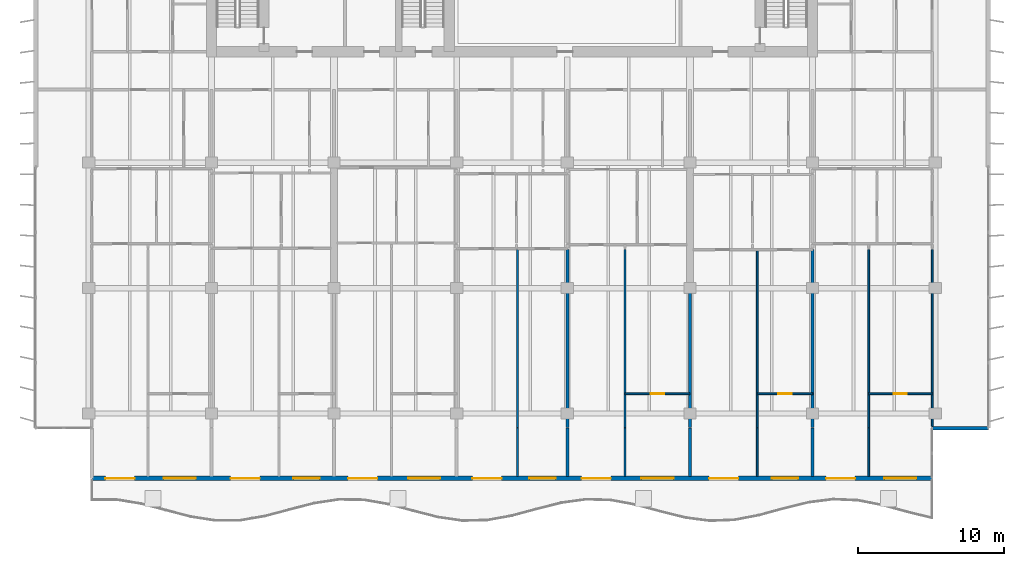
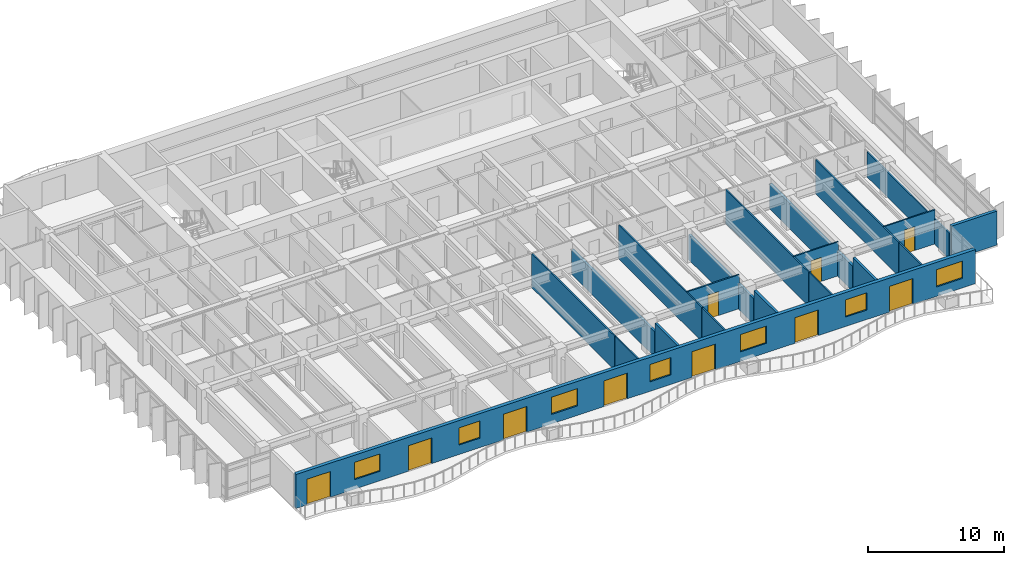
# One storey, part 10 of 19: 20 walls, 10 doors, 7 windows, 17 openings.
"""IFC4 building model written with IfcOpenShell, lengths in metres."""

from ifc_helpers import new_model, si_unit, direction, frame, frame_2d, origin, place, context, subcontext, project, spatial, rectangle, extrude, material, layer, layer_set, type_object, element, fill, save


model = new_model("IFC4")

# Units and contexts
model_context = context("Model", 3, precision=1e-05, world=origin(), true_north=direction((0.0, 1.0)))
body_context = subcontext(model_context, "Body", "Model", "MODEL_VIEW")
ifc_project = project(units=[si_unit("LENGTHUNIT", "METRE"), si_unit("AREAUNIT", "SQUARE_METRE"), si_unit("VOLUMEUNIT", "CUBIC_METRE"), si_unit("PLANEANGLEUNIT", "RADIAN"), si_unit("MASSUNIT", "GRAM", prefix="KILO")], contexts=[model_context])

# Site, building, storey
site_placement = place(None, origin())
site = spatial("IfcSite", under=ifc_project, at=site_placement, CompositionType="ELEMENT")
building_placement = place(site_placement, origin())
building = spatial("IfcBuilding", under=site, at=building_placement, Name="Caelmar Bay Residences", CompositionType="ELEMENT")
storey_placement = place(building_placement, frame((0.0, 0.0, 214.800048828125)))
storey = spatial("IfcBuildingStorey", under=building, at=storey_placement, Name="L60", CompositionType="ELEMENT", Elevation=214.800048828125)

# Wall
ifc_material_1 = material(Name="Precast concrete f'c 40 MPa (6,000 psi)", Category="concrete")
ifc_layer_1 = layer(ifc_material_1, 0.25)
ifc_layer_set_1 = layer_set([ifc_layer_1], Name="Precast concrete f'c 40 MPa (6,000 psi)")
wall_type_1 = type_object("IfcWallType", Name="W-EXT-250", PredefinedType="ELEMENTEDWALL", material=ifc_layer_set_1)
wall_1_placement = place(storey_placement, frame((67.699951171875, 11.199951171875, 0.0), z_axis=(0.0, 0.0, 1.0), x_axis=(1.0, 0.0, 0.0)))
element("IfcWall", 1, at=wall_1_placement, inside=storey, type_object=wall_type_1, Name="L60 SE Notch Return Wall", PredefinedType="ELEMENTEDWALL", context=body_context, shape_type="SweptSolid", body=[
    extrude(rectangle(XDim=3.85009765625, YDim=0.25, at=frame_2d((1.925048828125, 0.0))), origin(), (0.0, 0.0, 1.0), 3.050048828125),
])

# Wall, openings, doors, windows
ifc_layer_2 = layer(ifc_material_1, 0.300048828125)
ifc_layer_set_2 = layer_set([ifc_layer_2], Name="Precast concrete f'c 40 MPa (6,000 psi)")
wall_type_2 = type_object("IfcWallType", Name="W-EXT-300", PredefinedType="STANDARD", material=ifc_layer_set_2)
wall_2_placement = place(storey_placement, frame((67.699951171875, 7.75, 0.0), z_axis=(0.0, 0.0, 1.0), x_axis=(-1.0, 0.0, 0.0)))
wall_2 = element("IfcWall", 2, at=wall_2_placement, inside=storey, type_object=wall_type_2, Name="L60 South Bayfront Exterior Wall", PredefinedType="STANDARD", context=body_context, shape_type="SweptSolid", body=[
    extrude(rectangle(XDim=57.599853515625, YDim=0.300048828125, at=frame_2d((28.7998046875, 0.0))), origin(), (0.0, 0.0, 1.0), 3.050048828125),
])
opening_1_placement = place(wall_2_placement, frame((54.673095703125, 0.0, 0.0)))
opening_1 = element("IfcOpeningElement", 3, at=opening_1_placement, cuts=wall_2, Name="Opening L60-BD01", PredefinedType="OPENING", context=body_context, shape_type="SweptSolid", body=[
    extrude(rectangle(XDim=2.0, YDim=2.300048828125, at=frame_2d((1.0, 1.14990234375))), frame((0.0, 0.159912109375, 0.0), z_axis=(0.0, -1.0, 0.0), x_axis=(1.0, 0.0, 0.0)), (0.0, 0.0, 1.0), 0.320068359375),
])
opening_2_placement = place(wall_2_placement, frame((50.472900390625, 0.0, 0.85009765625)))
opening_2 = element("IfcOpeningElement", 4, at=opening_2_placement, cuts=wall_2, Name="Opening WN2", PredefinedType="OPENING", context=body_context, shape_type="SweptSolid", body=[
    extrude(rectangle(XDim=2.199951171875, YDim=1.550048828125, at=frame_2d((1.10009765625, 0.77490234375))), frame((0.0, 0.159912109375, 0.0), z_axis=(0.0, -1.0, 0.0), x_axis=(1.0, 0.0, 0.0)), (0.0, 0.0, 1.0), 0.320068359375),
])
opening_3_placement = place(wall_2_placement, frame((46.090087890625, 0.0, 0.0)))
opening_3 = element("IfcOpeningElement", 5, at=opening_3_placement, cuts=wall_2, Name="Opening L60-BD02", PredefinedType="OPENING", context=body_context, shape_type="SweptSolid", body=[
    extrude(rectangle(XDim=2.0, YDim=2.300048828125, at=frame_2d((1.0, 1.14990234375))), frame((0.0, 0.159912109375, 0.0), z_axis=(0.0, -1.0, 0.0), x_axis=(1.0, 0.0, 0.0)), (0.0, 0.0, 1.0), 0.320068359375),
])
opening_4_placement = place(wall_2_placement, frame((41.989990234375, 0.0, 0.85009765625)))
opening_4 = element("IfcOpeningElement", 6, at=opening_4_placement, cuts=wall_2, Name="Opening WN1", PredefinedType="OPENING", context=body_context, shape_type="SweptSolid", body=[
    extrude(rectangle(XDim=1.800048828125, YDim=1.550048828125, at=frame_2d((0.89990234375, 0.77490234375))), frame((0.0, 0.159912109375, 0.0), z_axis=(0.0, -1.0, 0.0), x_axis=(1.0, 0.0, 0.0)), (0.0, 0.0, 1.0), 0.320068359375),
])
opening_5_placement = place(wall_2_placement, frame((38.02587890625, 0.0, 0.0)))
opening_5 = element("IfcOpeningElement", 7, at=opening_5_placement, cuts=wall_2, Name="Opening L60-BD03", PredefinedType="OPENING", context=body_context, shape_type="SweptSolid", body=[
    extrude(rectangle(XDim=2.0, YDim=2.300048828125, at=frame_2d((1.0, 1.14990234375))), frame((0.0, 0.159912109375, 0.0), z_axis=(0.0, -1.0, 0.0), x_axis=(1.0, 0.0, 0.0)), (0.0, 0.0, 1.0), 0.320068359375),
])
opening_6_placement = place(wall_2_placement, frame((33.72607421875, 0.0, 0.85009765625)))
opening_6 = element("IfcOpeningElement", 8, at=opening_6_placement, cuts=wall_2, Name="Opening WN2", PredefinedType="OPENING", context=body_context, shape_type="SweptSolid", body=[
    extrude(rectangle(XDim=2.199951171875, YDim=1.550048828125, at=frame_2d((1.10009765625, 0.77490234375))), frame((0.0, 0.159912109375, 0.0), z_axis=(0.0, -1.0, 0.0), x_axis=(1.0, 0.0, 0.0)), (0.0, 0.0, 1.0), 0.320068359375),
])
opening_7_placement = place(wall_2_placement, frame((29.510009765625, 0.0, 0.0)))
opening_7 = element("IfcOpeningElement", 9, at=opening_7_placement, cuts=wall_2, Name="Opening L60-BD04", PredefinedType="OPENING", context=body_context, shape_type="SweptSolid", body=[
    extrude(rectangle(XDim=2.0, YDim=2.300048828125, at=frame_2d((1.0, 1.14990234375))), frame((0.0, 0.159912109375, 0.0), z_axis=(0.0, -1.0, 0.0), x_axis=(1.0, 0.0, 0.0)), (0.0, 0.0, 1.0), 0.320068359375),
])
opening_8_placement = place(wall_2_placement, frame((25.81005859375, 0.0, 0.85009765625)))
opening_8 = element("IfcOpeningElement", 10, at=opening_8_placement, cuts=wall_2, Name="Opening WN1", PredefinedType="OPENING", context=body_context, shape_type="SweptSolid", body=[
    extrude(rectangle(XDim=1.800048828125, YDim=1.550048828125, at=frame_2d((0.89990234375, 0.77490234375))), frame((0.0, 0.159912109375, 0.0), z_axis=(0.0, -1.0, 0.0), x_axis=(1.0, 0.0, 0.0)), (0.0, 0.0, 1.0), 0.320068359375),
])
opening_9_placement = place(wall_2_placement, frame((22.02587890625, 0.0, 0.0)))
opening_9 = element("IfcOpeningElement", 11, at=opening_9_placement, cuts=wall_2, Name="Opening L60-BD05", PredefinedType="OPENING", context=body_context, shape_type="SweptSolid", body=[
    extrude(rectangle(XDim=2.0, YDim=2.300048828125, at=frame_2d((1.0, 1.14990234375))), frame((0.0, 0.159912109375, 0.0), z_axis=(0.0, -1.0, 0.0), x_axis=(1.0, 0.0, 0.0)), (0.0, 0.0, 1.0), 0.320068359375),
])
opening_10_placement = place(wall_2_placement, frame((17.72607421875, 0.0, 0.85009765625)))
opening_10 = element("IfcOpeningElement", 12, at=opening_10_placement, cuts=wall_2, Name="Opening WN2", PredefinedType="OPENING", context=body_context, shape_type="SweptSolid", body=[
    extrude(rectangle(XDim=2.199951171875, YDim=1.550048828125, at=frame_2d((1.10009765625, 0.77490234375))), frame((0.0, 0.159912109375, 0.0), z_axis=(0.0, -1.0, 0.0), x_axis=(1.0, 0.0, 0.0)), (0.0, 0.0, 1.0), 0.320068359375),
])
opening_11_placement = place(wall_2_placement, frame((13.2900390625, 0.0, 0.0)))
opening_11 = element("IfcOpeningElement", 13, at=opening_11_placement, cuts=wall_2, Name="Opening L60-BD06", PredefinedType="OPENING", context=body_context, shape_type="SweptSolid", body=[
    extrude(rectangle(XDim=2.0, YDim=2.300048828125, at=frame_2d((1.0, 1.14990234375))), frame((0.0, 0.159912109375, 0.0), z_axis=(0.0, -1.0, 0.0), x_axis=(1.0, 0.0, 0.0)), (0.0, 0.0, 1.0), 0.320068359375),
])
opening_12_placement = place(wall_2_placement, frame((9.18994140625, 0.0, 0.85009765625)))
opening_12 = element("IfcOpeningElement", 14, at=opening_12_placement, cuts=wall_2, Name="Opening WN1", PredefinedType="OPENING", context=body_context, shape_type="SweptSolid", body=[
    extrude(rectangle(XDim=1.800048828125, YDim=1.550048828125, at=frame_2d((0.89990234375, 0.77490234375))), frame((0.0, 0.159912109375, 0.0), z_axis=(0.0, -1.0, 0.0), x_axis=(1.0, 0.0, 0.0)), (0.0, 0.0, 1.0), 0.320068359375),
])
opening_13_placement = place(wall_2_placement, frame((5.27294921875, 0.0, 0.0)))
opening_13 = element("IfcOpeningElement", 15, at=opening_13_placement, cuts=wall_2, Name="Opening L60-BD07", PredefinedType="OPENING", context=body_context, shape_type="SweptSolid", body=[
    extrude(rectangle(XDim=2.0, YDim=2.300048828125, at=frame_2d((1.0, 1.14990234375))), frame((0.0, 0.159912109375, 0.0), z_axis=(0.0, -1.0, 0.0), x_axis=(1.0, 0.0, 0.0)), (0.0, 0.0, 1.0), 0.320068359375),
])
opening_14_placement = place(wall_2_placement, frame((1.072998046875, 0.0, 0.85009765625)))
opening_14 = element("IfcOpeningElement", 16, at=opening_14_placement, cuts=wall_2, Name="Opening WN2", PredefinedType="OPENING", context=body_context, shape_type="SweptSolid", body=[
    extrude(rectangle(XDim=2.199951171875, YDim=1.550048828125, at=frame_2d((1.10009765625, 0.77490234375))), frame((0.0, 0.159912109375, 0.0), z_axis=(0.0, -1.0, 0.0), x_axis=(1.0, 0.0, 0.0)), (0.0, 0.0, 1.0), 0.320068359375),
])
ifc_material_2 = material(Name="Anodised bronze thermally broken sliding glass door", Category="glass")
ifc_layer_3 = layer(ifc_material_2, 0.050048828125)
ifc_layer_set_3 = layer_set([ifc_layer_3], Name="Anodised bronze thermally broken sliding glass door")
door_type_1 = type_object("IfcDoorType", Name="D-BAL-2000", OperationType="DOUBLE_DOOR_SLIDING", PredefinedType="DOOR", material=ifc_layer_set_3)
door_1_placement = place(opening_1_placement, origin())
door_1 = element("IfcDoor", 17, at=door_1_placement, inside=storey, type_object=door_type_1, Name="L60 Residence 01 Living Room Balcony Door", OperationType="DOUBLE_DOOR_SLIDING", OverallHeight=2.300048828125, OverallWidth=2.0, PredefinedType="DOOR", context=body_context, shape_type="SweptSolid", body=[
    extrude(rectangle(XDim=2.0, YDim=2.300048828125, at=frame_2d((1.0, 1.14990234375))), frame((0.0, 0.02490234375, 0.0), z_axis=(0.0, -1.0, 0.0), x_axis=(1.0, 0.0, 0.0)), (0.0, 0.0, 1.0), 0.050048828125),
])
fill(opening_1, door_1)
door_2_placement = place(opening_3_placement, origin())
door_2 = element("IfcDoor", 18, at=door_2_placement, inside=storey, type_object=door_type_1, Name="L60 Residence 02 Living Room Balcony Door", OperationType="DOUBLE_DOOR_SLIDING", OverallHeight=2.300048828125, OverallWidth=2.0, PredefinedType="DOOR", context=body_context, shape_type="SweptSolid", body=[
    extrude(rectangle(XDim=2.0, YDim=2.300048828125, at=frame_2d((1.0, 1.14990234375))), frame((0.0, 0.02490234375, 0.0), z_axis=(0.0, -1.0, 0.0), x_axis=(1.0, 0.0, 0.0)), (0.0, 0.0, 1.0), 0.050048828125),
])
fill(opening_3, door_2)
door_3_placement = place(opening_5_placement, origin())
door_3 = element("IfcDoor", 19, at=door_3_placement, inside=storey, type_object=door_type_1, Name="L60 Residence 03 Living Room Balcony Door", OperationType="DOUBLE_DOOR_SLIDING", OverallHeight=2.300048828125, OverallWidth=2.0, PredefinedType="DOOR", context=body_context, shape_type="SweptSolid", body=[
    extrude(rectangle(XDim=2.0, YDim=2.300048828125, at=frame_2d((1.0, 1.14990234375))), frame((0.0, 0.02490234375, 0.0), z_axis=(0.0, -1.0, 0.0), x_axis=(1.0, 0.0, 0.0)), (0.0, 0.0, 1.0), 0.050048828125),
])
fill(opening_5, door_3)
door_4_placement = place(opening_7_placement, origin())
door_4 = element("IfcDoor", 20, at=door_4_placement, inside=storey, type_object=door_type_1, Name="L60 Residence 04 Living Room Balcony Door", OperationType="DOUBLE_DOOR_SLIDING", OverallHeight=2.300048828125, OverallWidth=2.0, PredefinedType="DOOR", context=body_context, shape_type="SweptSolid", body=[
    extrude(rectangle(XDim=2.0, YDim=2.300048828125, at=frame_2d((1.0, 1.14990234375))), frame((0.0, 0.02490234375, 0.0), z_axis=(0.0, -1.0, 0.0), x_axis=(1.0, 0.0, 0.0)), (0.0, 0.0, 1.0), 0.050048828125),
])
fill(opening_7, door_4)
door_5_placement = place(opening_9_placement, origin())
door_5 = element("IfcDoor", 21, at=door_5_placement, inside=storey, type_object=door_type_1, Name="L60 Residence 05 Living Room Balcony Door", OperationType="DOUBLE_DOOR_SLIDING", OverallHeight=2.300048828125, OverallWidth=2.0, PredefinedType="DOOR", context=body_context, shape_type="SweptSolid", body=[
    extrude(rectangle(XDim=2.0, YDim=2.300048828125, at=frame_2d((1.0, 1.14990234375))), frame((0.0, 0.02490234375, 0.0), z_axis=(0.0, -1.0, 0.0), x_axis=(1.0, 0.0, 0.0)), (0.0, 0.0, 1.0), 0.050048828125),
])
fill(opening_9, door_5)
door_6_placement = place(opening_11_placement, origin())
door_6 = element("IfcDoor", 22, at=door_6_placement, inside=storey, type_object=door_type_1, Name="L60 Residence 06 Living Room Balcony Door", OperationType="DOUBLE_DOOR_SLIDING", OverallHeight=2.300048828125, OverallWidth=2.0, PredefinedType="DOOR", context=body_context, shape_type="SweptSolid", body=[
    extrude(rectangle(XDim=2.0, YDim=2.300048828125, at=frame_2d((1.0, 1.14990234375))), frame((0.0, 0.02490234375, 0.0), z_axis=(0.0, -1.0, 0.0), x_axis=(1.0, 0.0, 0.0)), (0.0, 0.0, 1.0), 0.050048828125),
])
fill(opening_11, door_6)
door_7_placement = place(opening_13_placement, origin())
door_7 = element("IfcDoor", 23, at=door_7_placement, inside=storey, type_object=door_type_1, Name="L60 Residence 07 Living Room Balcony Door", OperationType="DOUBLE_DOOR_SLIDING", OverallHeight=2.300048828125, OverallWidth=2.0, PredefinedType="DOOR", context=body_context, shape_type="SweptSolid", body=[
    extrude(rectangle(XDim=2.0, YDim=2.300048828125, at=frame_2d((1.0, 1.14990234375))), frame((0.0, 0.02490234375, 0.0), z_axis=(0.0, -1.0, 0.0), x_axis=(1.0, 0.0, 0.0)), (0.0, 0.0, 1.0), 0.050048828125),
])
fill(opening_13, door_7)
ifc_material_3 = material(Name="Bronze aluminium frame with laminated low-E glass", Category="aluminium")
ifc_layer_4 = layer(ifc_material_3, 0.06005859375)
ifc_layer_set_4 = layer_set([ifc_layer_4], Name="Bronze aluminium frame with laminated low-E glass")
window_type_1 = type_object("IfcWindowType", Name="WIN-BR-1800", PartitioningType="SINGLE_PANEL", PredefinedType="WINDOW", material=ifc_layer_set_4)
window_1_placement = place(opening_4_placement, origin())
window_1 = element("IfcWindow", 24, at=window_1_placement, inside=storey, type_object=window_type_1, Name="L60 Residence 02 Primary Bedroom Window", OverallHeight=1.550048828125, OverallWidth=1.800048828125, PartitioningType="SINGLE_PANEL", PredefinedType="WINDOW", context=body_context, shape_type="SweptSolid", body=[
    extrude(rectangle(XDim=1.800048828125, YDim=1.550048828125, at=frame_2d((0.89990234375, 0.77490234375))), frame((0.0, 0.030029296875, 0.0), z_axis=(0.0, -1.0, 0.0), x_axis=(1.0, 0.0, 0.0)), (0.0, 0.0, 1.0), 0.06005859375),
])
fill(opening_4, window_1)
window_2_placement = place(opening_8_placement, origin())
window_2 = element("IfcWindow", 25, at=window_2_placement, inside=storey, type_object=window_type_1, Name="L60 Residence 04 Primary Bedroom Window", OverallHeight=1.550048828125, OverallWidth=1.800048828125, PartitioningType="SINGLE_PANEL", PredefinedType="WINDOW", context=body_context, shape_type="SweptSolid", body=[
    extrude(rectangle(XDim=1.800048828125, YDim=1.550048828125, at=frame_2d((0.89990234375, 0.77490234375))), frame((0.0, 0.030029296875, 0.0), z_axis=(0.0, -1.0, 0.0), x_axis=(1.0, 0.0, 0.0)), (0.0, 0.0, 1.0), 0.06005859375),
])
fill(opening_8, window_2)
window_3_placement = place(opening_12_placement, origin())
window_3 = element("IfcWindow", 26, at=window_3_placement, inside=storey, type_object=window_type_1, Name="L60 Residence 06 Primary Bedroom Window", OverallHeight=1.550048828125, OverallWidth=1.800048828125, PartitioningType="SINGLE_PANEL", PredefinedType="WINDOW", context=body_context, shape_type="SweptSolid", body=[
    extrude(rectangle(XDim=1.800048828125, YDim=1.550048828125, at=frame_2d((0.89990234375, 0.77490234375))), frame((0.0, 0.030029296875, 0.0), z_axis=(0.0, -1.0, 0.0), x_axis=(1.0, 0.0, 0.0)), (0.0, 0.0, 1.0), 0.06005859375),
])
fill(opening_12, window_3)
ifc_layer_5 = layer(ifc_material_3, 0.06005859375)
ifc_layer_set_5 = layer_set([ifc_layer_5], Name="Bronze aluminium frame with laminated low-E glass")
window_type_2 = type_object("IfcWindowType", Name="WIN-BR-2200", PartitioningType="SINGLE_PANEL", PredefinedType="WINDOW", material=ifc_layer_set_5)
window_4_placement = place(opening_2_placement, origin())
window_4 = element("IfcWindow", 27, at=window_4_placement, inside=storey, type_object=window_type_2, Name="L60 Residence 01 Primary Bedroom Window", OverallHeight=1.550048828125, OverallWidth=2.199951171875, PartitioningType="SINGLE_PANEL", PredefinedType="WINDOW", context=body_context, shape_type="SweptSolid", body=[
    extrude(rectangle(XDim=2.199951171875, YDim=1.550048828125, at=frame_2d((1.10009765625, 0.77490234375))), frame((0.0, 0.030029296875, 0.0), z_axis=(0.0, -1.0, 0.0), x_axis=(1.0, 0.0, 0.0)), (0.0, 0.0, 1.0), 0.06005859375),
])
fill(opening_2, window_4)
window_5_placement = place(opening_6_placement, origin())
window_5 = element("IfcWindow", 28, at=window_5_placement, inside=storey, type_object=window_type_2, Name="L60 Residence 03 Primary Bedroom Window", OverallHeight=1.550048828125, OverallWidth=2.199951171875, PartitioningType="SINGLE_PANEL", PredefinedType="WINDOW", context=body_context, shape_type="SweptSolid", body=[
    extrude(rectangle(XDim=2.199951171875, YDim=1.550048828125, at=frame_2d((1.10009765625, 0.77490234375))), frame((0.0, 0.030029296875, 0.0), z_axis=(0.0, -1.0, 0.0), x_axis=(1.0, 0.0, 0.0)), (0.0, 0.0, 1.0), 0.06005859375),
])
fill(opening_6, window_5)
window_6_placement = place(opening_10_placement, origin())
window_6 = element("IfcWindow", 29, at=window_6_placement, inside=storey, type_object=window_type_2, Name="L60 Residence 05 Primary Bedroom Window", OverallHeight=1.550048828125, OverallWidth=2.199951171875, PartitioningType="SINGLE_PANEL", PredefinedType="WINDOW", context=body_context, shape_type="SweptSolid", body=[
    extrude(rectangle(XDim=2.199951171875, YDim=1.550048828125, at=frame_2d((1.10009765625, 0.77490234375))), frame((0.0, 0.030029296875, 0.0), z_axis=(0.0, -1.0, 0.0), x_axis=(1.0, 0.0, 0.0)), (0.0, 0.0, 1.0), 0.06005859375),
])
fill(opening_10, window_6)
window_7_placement = place(opening_14_placement, origin())
window_7 = element("IfcWindow", 30, at=window_7_placement, inside=storey, type_object=window_type_2, Name="L60 Residence 07 Primary Bedroom Window", OverallHeight=1.550048828125, OverallWidth=2.199951171875, PartitioningType="SINGLE_PANEL", PredefinedType="WINDOW", context=body_context, shape_type="SweptSolid", body=[
    extrude(rectangle(XDim=2.199951171875, YDim=1.550048828125, at=frame_2d((1.10009765625, 0.77490234375))), frame((0.0, 0.030029296875, 0.0), z_axis=(0.0, -1.0, 0.0), x_axis=(1.0, 0.0, 0.0)), (0.0, 0.0, 1.0), 0.06005859375),
])
fill(opening_14, window_7)

# Walls
ifc_material_4 = material(Name="Acoustic metal-stud gypsum partition 120 mm")
ifc_layer_6 = layer(ifc_material_4, 0.1201171875)
ifc_layer_set_6 = layer_set([ifc_layer_6], Name="Acoustic metal-stud gypsum partition 120 mm")
wall_type_3 = type_object("IfcWallType", Name="W-PRT-120", PredefinedType="PARTITIONING", material=ifc_layer_set_6)
wall_3_placement = place(storey_placement, frame((39.280029296875, 7.89501953125, 0.0), z_axis=(0.0, 0.0, 1.0), x_axis=(0.0, 1.0, 0.0)))
element("IfcWall", 31, at=wall_3_placement, inside=storey, type_object=wall_type_3, Name="L60 Partition Wall V051", PredefinedType="PARTITIONING", context=body_context, shape_type="SweptSolid", body=[
    extrude(rectangle(XDim=3.304931640625, YDim=0.1201171875, at=frame_2d((1.65234375, 0.0))), origin(), (0.0, 0.0, 1.0), 3.050048828125),
])
wall_4_placement = place(storey_placement, frame((39.280029296875, 11.239990234375, 0.0), z_axis=(0.0, 0.0, 1.0), x_axis=(0.0, 1.0, 0.0)))
element("IfcWall", 32, at=wall_4_placement, inside=storey, type_object=wall_type_3, Name="L60 Partition Wall V052", PredefinedType="PARTITIONING", context=body_context, shape_type="SweptSolid", body=[
    extrude(rectangle(XDim=12.18994140625, YDim=0.1201171875, at=frame_2d((6.094970703125, 0.0))), origin(), (0.0, 0.0, 1.0), 3.050048828125),
])
wall_5_placement = place(storey_placement, frame((46.64794921875, 7.89501953125, 0.0), z_axis=(0.0, 0.0, 1.0), x_axis=(0.0, 1.0, 0.0)))
element("IfcWall", 33, at=wall_5_placement, inside=storey, type_object=wall_type_3, Name="L60 Partition Wall V062", PredefinedType="PARTITIONING", context=body_context, shape_type="SweptSolid", body=[
    extrude(rectangle(XDim=3.304931640625, YDim=0.1201171875, at=frame_2d((1.65234375, 0.0))), origin(), (0.0, 0.0, 1.0), 3.050048828125),
])
wall_6_placement = place(storey_placement, frame((46.64794921875, 11.239990234375, 0.0), z_axis=(0.0, 0.0, 1.0), x_axis=(0.0, 1.0, 0.0)))
element("IfcWall", 34, at=wall_6_placement, inside=storey, type_object=wall_type_3, Name="L60 Partition Wall V063", PredefinedType="PARTITIONING", context=body_context, shape_type="SweptSolid", body=[
    extrude(rectangle(XDim=12.18994140625, YDim=0.1201171875, at=frame_2d((6.094970703125, 0.0))), origin(), (0.0, 0.0, 1.0), 3.050048828125),
])
wall_7_placement = place(storey_placement, frame((55.719970703125, 7.89501953125, 0.0), z_axis=(0.0, 0.0, 1.0), x_axis=(0.0, 1.0, 0.0)))
element("IfcWall", 35, at=wall_7_placement, inside=storey, type_object=wall_type_3, Name="L60 Partition Wall V077", PredefinedType="PARTITIONING", context=body_context, shape_type="SweptSolid", body=[
    extrude(rectangle(XDim=3.304931640625, YDim=0.1201171875, at=frame_2d((1.65234375, 0.0))), origin(), (0.0, 0.0, 1.0), 3.050048828125),
])
wall_8_placement = place(storey_placement, frame((55.719970703125, 11.239990234375, 0.0), z_axis=(0.0, 0.0, 1.0), x_axis=(0.0, 1.0, 0.0)))
element("IfcWall", 36, at=wall_8_placement, inside=storey, type_object=wall_type_3, Name="L60 Partition Wall V078", PredefinedType="PARTITIONING", context=body_context, shape_type="SweptSolid", body=[
    extrude(rectangle(XDim=12.18994140625, YDim=0.1201171875, at=frame_2d((6.094970703125, 0.0))), origin(), (0.0, 0.0, 1.0), 3.050048828125),
])
wall_9_placement = place(storey_placement, frame((63.35400390625, 7.89501953125, 0.0), z_axis=(0.0, 0.0, 1.0), x_axis=(0.0, 1.0, 0.0)))
element("IfcWall", 37, at=wall_9_placement, inside=storey, type_object=wall_type_3, Name="L60 Partition Wall V089", PredefinedType="PARTITIONING", context=body_context, shape_type="SweptSolid", body=[
    extrude(rectangle(XDim=3.304931640625, YDim=0.1201171875, at=frame_2d((1.65234375, 0.0))), origin(), (0.0, 0.0, 1.0), 3.050048828125),
])
wall_10_placement = place(storey_placement, frame((63.35400390625, 11.239990234375, 0.0), z_axis=(0.0, 0.0, 1.0), x_axis=(0.0, 1.0, 0.0)))
element("IfcWall", 38, at=wall_10_placement, inside=storey, type_object=wall_type_3, Name="L60 Partition Wall V090", PredefinedType="PARTITIONING", context=body_context, shape_type="SweptSolid", body=[
    extrude(rectangle(XDim=12.18994140625, YDim=0.1201171875, at=frame_2d((6.094970703125, 0.0))), origin(), (0.0, 0.0, 1.0), 3.050048828125),
])
wall_11_placement = place(storey_placement, frame((67.699951171875, 11.320068359375, 0.0), z_axis=(0.0, 0.0, 1.0), x_axis=(0.0, 1.0, 0.0)))
element("IfcWall", 39, at=wall_11_placement, inside=storey, type_object=wall_type_3, Name="L60 Partition Wall V096", PredefinedType="PARTITIONING", context=body_context, shape_type="SweptSolid", body=[
    extrude(rectangle(XDim=12.10986328125, YDim=0.1201171875, at=frame_2d((6.054931640625, 0.0))), origin(), (0.0, 0.0, 1.0), 2.262939453125),
])

# Wall, opening, door
wall_12_placement = place(storey_placement, frame((46.64794921875, 13.550048828125, 0.0), z_axis=(0.0, 0.0, 1.0), x_axis=(1.0, 0.0, 0.0)))
wall_12 = element("IfcWall", 40, at=wall_12_placement, inside=storey, type_object=wall_type_3, Name="L60 Partition Wall H107", PredefinedType="PARTITIONING", context=body_context, shape_type="SweptSolid", body=[
    extrude(rectangle(XDim=4.4521484375, YDim=0.1201171875, at=frame_2d((2.22607421875, 0.0))), origin(), (0.0, 0.0, 1.0), 3.050048828125),
])
opening_15_placement = place(wall_12_placement, frame((1.77587890625, 0.0, 0.0)))
opening_15 = element("IfcOpeningElement", 41, at=opening_15_placement, cuts=wall_12, Name="Opening D-L60-153", PredefinedType="OPENING", context=body_context, shape_type="SweptSolid", body=[
    extrude(rectangle(XDim=0.89990234375, YDim=2.14990234375, at=frame_2d((0.449951171875, 1.074951171875))), frame((0.0, 0.070068359375, 0.0), z_axis=(0.0, -1.0, 0.0), x_axis=(1.0, 0.0, 0.0)), (0.0, 0.0, 1.0), 0.14013671875),
])
ifc_material_5 = material(Name="Solid walnut timber interior door leaf and frame", Category="wood")
ifc_layer_7 = layer(ifc_material_5, 0.050048828125)
ifc_layer_set_7 = layer_set([ifc_layer_7], Name="Solid walnut timber interior door leaf and frame")
door_type_2 = type_object("IfcDoorType", Name="D-ROOM-900", OperationType="NOTDEFINED", PredefinedType="DOOR", material=ifc_layer_set_7)
door_8_placement = place(opening_15_placement, origin())
door_8 = element("IfcDoor", 42, at=door_8_placement, inside=storey, type_object=door_type_2, Name="L60 Residence 05 Primary Bedroom Door", OperationType="SINGLE_SWING_RIGHT", OverallHeight=2.14990234375, OverallWidth=0.89990234375, PredefinedType="DOOR", context=body_context, shape_type="SweptSolid", body=[
    extrude(rectangle(XDim=0.89990234375, YDim=2.14990234375, at=frame_2d((0.449951171875, 1.074951171875))), frame((0.0, 0.02490234375, 0.0), z_axis=(0.0, -1.0, 0.0), x_axis=(1.0, 0.0, 0.0)), (0.0, 0.0, 1.0), 0.050048828125),
])
fill(opening_15, door_8)

wall_13_placement = place(storey_placement, frame((55.719970703125, 13.550048828125, 0.0), z_axis=(0.0, 0.0, 1.0), x_axis=(1.0, 0.0, 0.0)))
wall_13 = element("IfcWall", 43, at=wall_13_placement, inside=storey, type_object=wall_type_3, Name="L60 Partition Wall H108", PredefinedType="PARTITIONING", context=body_context, shape_type="SweptSolid", body=[
    extrude(rectangle(XDim=3.780029296875, YDim=0.1201171875, at=frame_2d((1.89013671875, 0.0))), origin(), (0.0, 0.0, 1.0), 3.050048828125),
])
opening_16_placement = place(wall_13_placement, frame((1.43994140625, 0.0, 0.0)))
opening_16 = element("IfcOpeningElement", 44, at=opening_16_placement, cuts=wall_13, Name="Opening D-L60-160", PredefinedType="OPENING", context=body_context, shape_type="SweptSolid", body=[
    extrude(rectangle(XDim=0.89990234375, YDim=2.14990234375, at=frame_2d((0.449951171875, 1.074951171875))), frame((0.0, 0.070068359375, 0.0), z_axis=(0.0, -1.0, 0.0), x_axis=(1.0, 0.0, 0.0)), (0.0, 0.0, 1.0), 0.14013671875),
])
door_9_placement = place(opening_16_placement, origin())
door_9 = element("IfcDoor", 45, at=door_9_placement, inside=storey, type_object=door_type_2, Name="L60 Residence 06 Primary Bedroom Door", OperationType="SINGLE_SWING_LEFT", OverallHeight=2.14990234375, OverallWidth=0.89990234375, PredefinedType="DOOR", context=body_context, shape_type="SweptSolid", body=[
    extrude(rectangle(XDim=0.89990234375, YDim=2.14990234375, at=frame_2d((0.449951171875, 1.074951171875))), frame((0.0, 0.02490234375, 0.0), z_axis=(0.0, -1.0, 0.0), x_axis=(1.0, 0.0, 0.0)), (0.0, 0.0, 1.0), 0.050048828125),
])
fill(opening_16, door_9)

wall_14_placement = place(storey_placement, frame((63.35400390625, 13.550048828125, 0.0), z_axis=(0.0, 0.0, 1.0), x_axis=(1.0, 0.0, 0.0)))
wall_14 = element("IfcWall", 46, at=wall_14_placement, inside=storey, type_object=wall_type_3, Name="L60 Partition Wall H109", PredefinedType="PARTITIONING", context=body_context, shape_type="SweptSolid", body=[
    extrude(rectangle(XDim=4.345947265625, YDim=0.1201171875, at=frame_2d((2.1728515625, 0.0))), origin(), (0.0, 0.0, 1.0), 3.050048828125),
])
opening_17_placement = place(wall_14_placement, frame((1.722900390625, 0.0, 0.0)))
opening_17 = element("IfcOpeningElement", 47, at=opening_17_placement, cuts=wall_14, Name="Opening D-L60-167", PredefinedType="OPENING", context=body_context, shape_type="SweptSolid", body=[
    extrude(rectangle(XDim=0.89990234375, YDim=2.14990234375, at=frame_2d((0.449951171875, 1.074951171875))), frame((0.0, 0.070068359375, 0.0), z_axis=(0.0, -1.0, 0.0), x_axis=(1.0, 0.0, 0.0)), (0.0, 0.0, 1.0), 0.14013671875),
])
door_10_placement = place(opening_17_placement, origin())
door_10 = element("IfcDoor", 48, at=door_10_placement, inside=storey, type_object=door_type_2, Name="L60 Residence 07 Primary Bedroom Door", OperationType="SINGLE_SWING_RIGHT", OverallHeight=2.14990234375, OverallWidth=0.89990234375, PredefinedType="DOOR", context=body_context, shape_type="SweptSolid", body=[
    extrude(rectangle(XDim=0.89990234375, YDim=2.14990234375, at=frame_2d((0.449951171875, 1.074951171875))), frame((0.0, 0.02490234375, 0.0), z_axis=(0.0, -1.0, 0.0), x_axis=(1.0, 0.0, 0.0)), (0.0, 0.0, 1.0), 0.050048828125),
])
fill(opening_17, door_10)

# Walls
ifc_material_6 = material(Name="Acoustic twin-stud fire-rated inter-tenancy partition 200 mm")
ifc_layer_8 = layer(ifc_material_6, 0.199951171875)
ifc_layer_set_8 = layer_set([ifc_layer_8], Name="Acoustic twin-stud fire-rated inter-tenancy partition 200 mm")
wall_type_4 = type_object("IfcWallType", Name="W-PTY-200", PredefinedType="PARTITIONING", material=ifc_layer_set_8)
wall_15_placement = place(storey_placement, frame((42.699951171875, 7.89501953125, 0.0), z_axis=(0.0, 0.0, 1.0), x_axis=(0.0, 1.0, 0.0)))
element("IfcWall", 49, at=wall_15_placement, inside=storey, type_object=wall_type_4, Name="L60 Partition Wall V056", PredefinedType="PARTITIONING", context=body_context, shape_type="SweptSolid", body=[
    extrude(rectangle(XDim=3.304931640625, YDim=0.199951171875, at=frame_2d((1.65234375, 0.0))), origin(), (0.0, 0.0, 1.0), 3.050048828125),
])
wall_16_placement = place(storey_placement, frame((42.699951171875, 11.239990234375, 0.0), z_axis=(0.0, 0.0, 1.0), x_axis=(0.0, 1.0, 0.0)))
element("IfcWall", 50, at=wall_16_placement, inside=storey, type_object=wall_type_4, Name="L60 Partition Wall V057", PredefinedType="PARTITIONING", context=body_context, shape_type="SweptSolid", body=[
    extrude(rectangle(XDim=12.18994140625, YDim=0.199951171875, at=frame_2d((6.094970703125, 0.0))), origin(), (0.0, 0.0, 1.0), 2.262939453125),
])
wall_17_placement = place(storey_placement, frame((51.10009765625, 7.89501953125, 0.0), z_axis=(0.0, 0.0, 1.0), x_axis=(0.0, 1.0, 0.0)))
element("IfcWall", 51, at=wall_17_placement, inside=storey, type_object=wall_type_4, Name="L60 Partition Wall V071", PredefinedType="PARTITIONING", context=body_context, shape_type="SweptSolid", body=[
    extrude(rectangle(XDim=3.304931640625, YDim=0.199951171875, at=frame_2d((1.65234375, 0.0))), origin(), (0.0, 0.0, 1.0), 3.050048828125),
])
wall_18_placement = place(storey_placement, frame((51.10009765625, 11.239990234375, 0.0), z_axis=(0.0, 0.0, 1.0), x_axis=(0.0, 1.0, 0.0)))
element("IfcWall", 52, at=wall_18_placement, inside=storey, type_object=wall_type_4, Name="L60 Partition Wall V072", PredefinedType="PARTITIONING", context=body_context, shape_type="SweptSolid", body=[
    extrude(rectangle(XDim=9.554931640625, YDim=0.199951171875, at=frame_2d((4.77734375, 0.0))), origin(), (0.0, 0.0, 1.0), 2.262939453125),
])
wall_19_placement = place(storey_placement, frame((59.5, 7.89501953125, 0.0), z_axis=(0.0, 0.0, 1.0), x_axis=(0.0, 1.0, 0.0)))
element("IfcWall", 53, at=wall_19_placement, inside=storey, type_object=wall_type_4, Name="L60 Partition Wall V082", PredefinedType="PARTITIONING", context=body_context, shape_type="SweptSolid", body=[
    extrude(rectangle(XDim=3.304931640625, YDim=0.199951171875, at=frame_2d((1.65234375, 0.0))), origin(), (0.0, 0.0, 1.0), 3.050048828125),
])
wall_20_placement = place(storey_placement, frame((59.5, 11.239990234375, 0.0), z_axis=(0.0, 0.0, 1.0), x_axis=(0.0, 1.0, 0.0)))
element("IfcWall", 54, at=wall_20_placement, inside=storey, type_object=wall_type_4, Name="L60 Partition Wall V083", PredefinedType="PARTITIONING", context=body_context, shape_type="SweptSolid", body=[
    extrude(rectangle(XDim=12.18994140625, YDim=0.199951171875, at=frame_2d((6.094970703125, 0.0))), origin(), (0.0, 0.0, 1.0), 2.262939453125),
])

save(model, "model.ifc")
